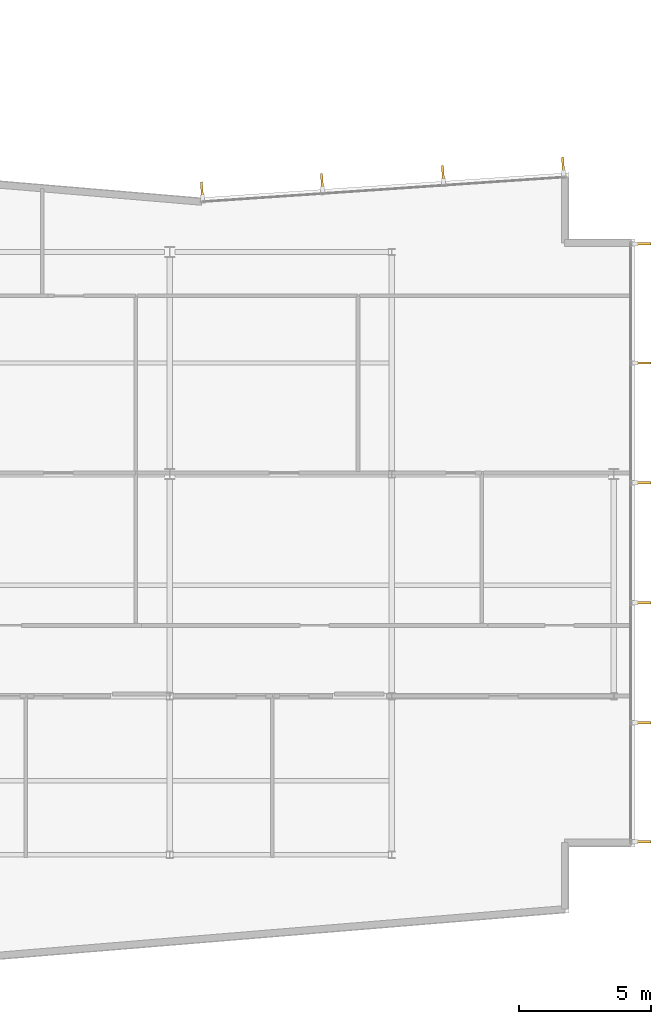
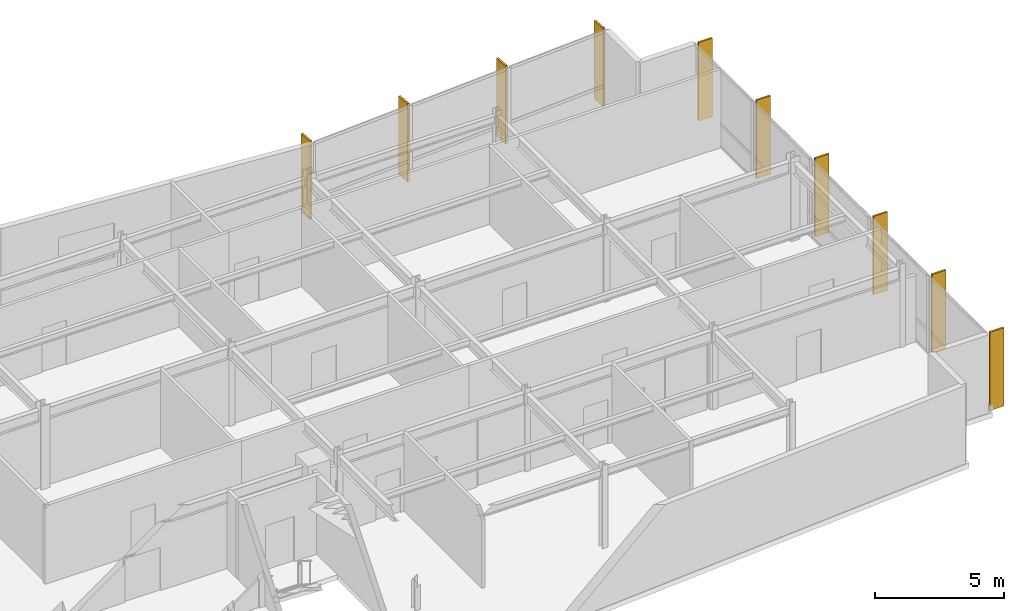
# One storey, part 14 of 15: 10 shading devices.
"""IFC4 building model written with IfcOpenShell, lengths in metres."""

from ifc_helpers import new_model, si_unit, direction, frame, origin, origin_2d, place, context, subcontext, project, spatial, rectangle, extrude, material, layer, layer_set, type_object, element, save


model = new_model("IFC4")

# Units and contexts
model_context = context("Model", 3, precision=1e-05, world=origin(), true_north=direction((0.0, 1.0)))
body_context = subcontext(model_context, "Body", "Model", "MODEL_VIEW")
ifc_project = project(units=[si_unit("LENGTHUNIT", "METRE"), si_unit("AREAUNIT", "SQUARE_METRE"), si_unit("VOLUMEUNIT", "CUBIC_METRE"), si_unit("PLANEANGLEUNIT", "RADIAN"), si_unit("MASSUNIT", "GRAM", prefix="KILO")], contexts=[model_context])

# Site, building, storey
site_placement = place(None, origin())
site = spatial("IfcSite", under=ifc_project, at=site_placement, CompositionType="ELEMENT")
building_placement = place(site_placement, origin())
building = spatial("IfcBuilding", under=site, at=building_placement, Name="Varnakote Quay Hospital", CompositionType="ELEMENT")
storey_placement = place(building_placement, frame((0.0, 0.0, 207.89990234375)))
storey = spatial("IfcBuildingStorey", under=building, at=storey_placement, Name="L51", CompositionType="ELEMENT", Elevation=207.89990234375)

# Shading devices
ifc_material = material(Name="Anodised aluminium 6063-T6 Bronze", Category="aluminium")
ifc_layer = layer(ifc_material, 0.0849609375)
ifc_layer_set = layer_set([ifc_layer], Name="Anodised aluminium 6063-T6 Bronze")
shading_device_type = type_object("IfcShadingDeviceType", Name="SHD-BRONZE-FIN-620", PredefinedType="USERDEFINED", material=ifc_layer_set)
for number, where, z_axis, x_axis, name in (
    (1, (51.489990234375, 6.492431640625, 0.0), (0.0, 0.0, 1.0), (-1.0, 0.0, 0.0), "L51 Anodised Bronze Vertical Shading FIN"),
    (2, (51.489990234375, 10.99609375, 0.0), (0.0, 0.0, 1.0), (-1.0, 0.0, 0.0), "L51 Anodised Bronze Vertical Shading FIN"),
    (3, (51.489990234375, 15.531982421875, 0.0), (0.0, 0.0, 1.0), (-1.0, 0.0, 0.0), "L51 Anodised Bronze Vertical Shading FIN"),
    (4, (51.489990234375, 20.068115234375, 0.0), (0.0, 0.0, 1.0), (-1.0, 0.0, 0.0), "L51 Anodised Bronze Vertical Shading FIN"),
    (5, (51.489990234375, 24.60400390625, 0.0), (0.0, 0.0, 1.0), (-1.0, 0.0, 0.0), "L51 Anodised Bronze Vertical Shading FIN"),
    (6, (51.489990234375, 29.107421875, 0.0), (0.0, 0.0, 1.0), (-1.0, 0.0, 0.0), "L51 Anodised Bronze Vertical Shading FIN"),
    (7, (48.47705078125, 32.07568359375, 0.0), (0.0, 0.0, 1.0), (0.067841160875, -0.997696134548, 0.0), "L51 Anodised Bronze Vertical Shading FIN"),
    (8, (43.934326171875, 31.7666015625, 0.0), (0.0, 0.0, 1.0), (0.067841160875, -0.997696134548, 0.0), "L51 Anodised Bronze Vertical Shading FIN"),
    (9, (39.359375, 31.45556640625, 0.0), (0.0, 0.0, 1.0), (0.067841160875, -0.997696134548, 0.0), "L51 Anodised Bronze Vertical Shading FIN"),
    (10, (34.816650390625, 31.146728515625, 0.0), (0.0, 0.0, 1.0), (0.067841160875, -0.997696134548, 0.0), "L51 Anodised Bronze Vertical Shading FIN"),
):
    element("IfcShadingDevice", number, at=place(storey_placement, frame(where, z_axis=z_axis, x_axis=x_axis)), inside=storey, type_object=shading_device_type, Name=name, ObjectType="FIN", PredefinedType="USERDEFINED", context=body_context, shape_type="SweptSolid", body=[
        extrude(rectangle(XDim=0.6201171875, YDim=0.0849609375, at=origin_2d()), origin(), (0.0, 0.0, 1.0), 3.7099609375),
    ])

save(model, "model.ifc")
